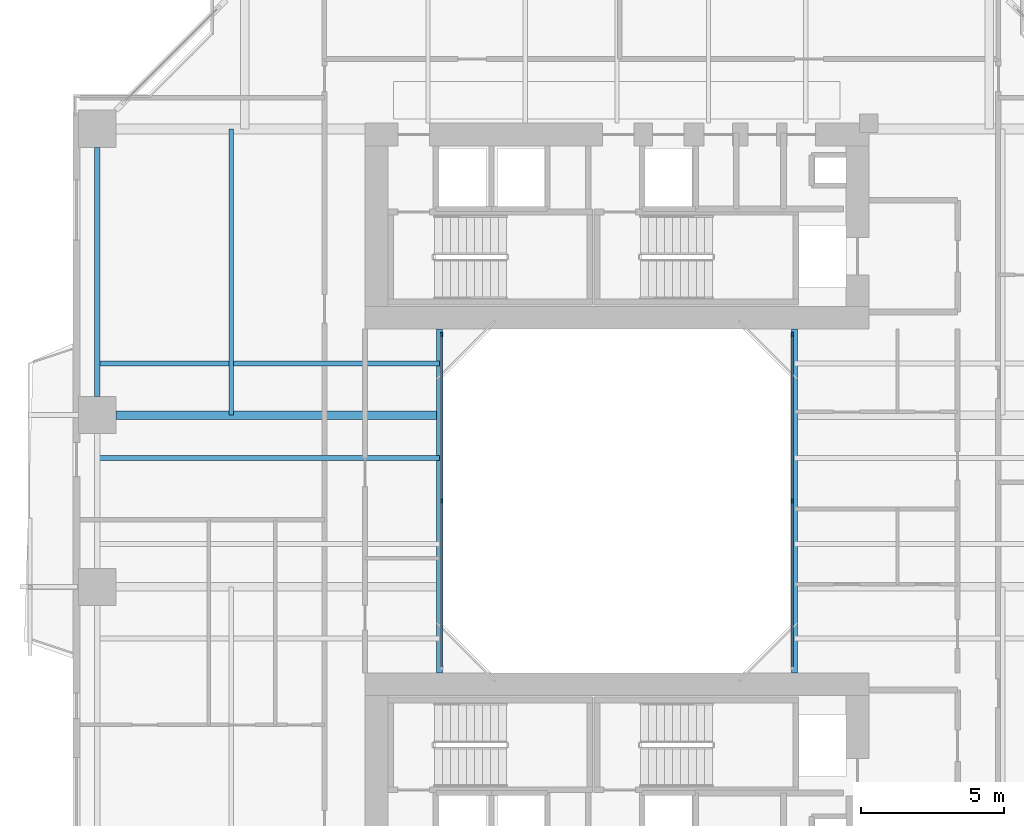
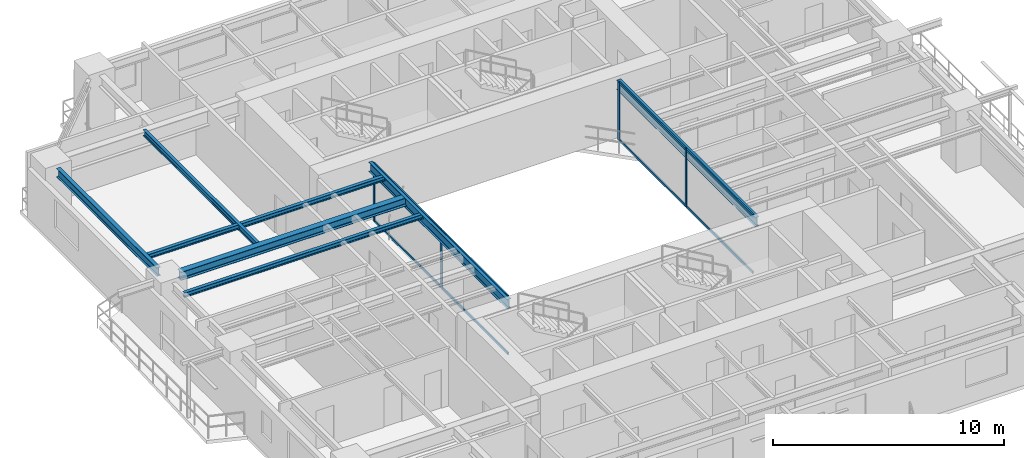
# One storey, part 4 of 23: 12 members, 7 beams, 2 elements without a shape of their own.
"""IFC4 building model written with IfcOpenShell, lengths in metres."""

from ifc_helpers import new_model, si_unit, direction, frame, origin, origin_2d, place, context, subcontext, project, spatial, rectangle, i_section, extrude, source, transform, mapped, material, layer, layer_set, material_profile, profile_set, type_object, element, aggregate, save


model = new_model("IFC4")

# Units and contexts
model_context = context("Model", 3, precision=1e-05, world=origin(), true_north=direction((0.0, 1.0)))
body_context = subcontext(model_context, "Body", "Model", "MODEL_VIEW")
ifc_project = project(units=[si_unit("LENGTHUNIT", "METRE"), si_unit("AREAUNIT", "SQUARE_METRE"), si_unit("VOLUMEUNIT", "CUBIC_METRE"), si_unit("PLANEANGLEUNIT", "RADIAN"), si_unit("MASSUNIT", "GRAM", prefix="KILO"), si_unit("THERMODYNAMICTEMPERATUREUNIT", "KELVIN"), si_unit("POWERUNIT", "WATT")], contexts=[model_context])

# Site, building, storey
site_placement = place(None, origin())
site = spatial("IfcSite", under=ifc_project, at=site_placement, CompositionType="ELEMENT")
building_placement = place(site_placement, origin())
building = spatial("IfcBuilding", under=site, at=building_placement, Name="Qiaomeng Ring Towers", CompositionType="ELEMENT")
storey_placement = place(building_placement, frame((0.0, 0.0, 29.5)))
storey = spatial("IfcBuildingStorey", under=building, at=storey_placement, Name="L07", CompositionType="ELEMENT", Elevation=29.5)

# Beams
ifc_material_1 = material(Name="Steel Q355B", Category="steel")
ifc_material_profile_1 = material_profile(ifc_material_1, i_section(OverallWidth=0.199951171875, OverallDepth=0.5, WebThickness=0.010009765625, FlangeThickness=0.01611328125, FilletRadius=0.02001953125, at=origin_2d()), Name="HN 500x200x10x16")
ifc_profile_set_1 = profile_set([ifc_material_profile_1], Name="Steel Q355B")
beam_type_1 = type_object("IfcBeamType", Name="STR-BM-HN500", PredefinedType="BEAM", material=ifc_profile_set_1)
shared_shape_1 = source(origin(), body_context, "Body", "SweptSolid", [
    extrude(i_section(OverallWidth=0.199951171875, OverallDepth=0.5, WebThickness=0.010009765625, FlangeThickness=0.01611328125, FilletRadius=0.02001953125, at=origin_2d()), origin(), (0.0, 0.0, 1.0), 12.0),
])
for number, where, z_axis, x_axis, name in (
    (1, (12.800048828125, 17.0, 2.820068359375), (0.0, 1.0, 0.0), (-1.0, 0.0, 0.0), "L07 beam STR-BM-L07-WELL-W"),
    (2, (25.199951171875, 17.0, 2.820068359375), (0.0, 1.0, 0.0), (-1.0, 0.0, 0.0), "L07 beam STR-BM-L07-WELL-E"),
):
    element("IfcBeam", number, at=place(storey_placement, frame(where, z_axis=z_axis, x_axis=x_axis)), inside=storey, type_object=beam_type_1, Name=name, PredefinedType="BEAM", context=body_context, shape_type="MappedRepresentation", body=[
        mapped(shared_shape_1, transform((0.0, 0.0, 0.0), x_axis=(1.0, 0.0, 0.0), y_axis=(0.0, 1.0, 0.0), z_axis=(0.0, 0.0, 1.0), scale=1.0)),
    ])
ifc_material_profile_2 = material_profile(ifc_material_1, i_section(OverallWidth=0.199951171875, OverallDepth=0.449951171875, WebThickness=0.009033203125, FlangeThickness=0.013916015625, FilletRadius=0.01806640625, at=origin_2d()), Name="HN 450x200x9x14")
ifc_profile_set_2 = profile_set([ifc_material_profile_2], Name="Steel Q355B")
beam_type_2 = type_object("IfcBeamType", Name="STR-BM-HN450", PredefinedType="SPANDREL", material=ifc_profile_set_2)
shared_shape_2 = source(origin(), body_context, "Body", "SweptSolid", [
    extrude(i_section(OverallWidth=0.199951171875, OverallDepth=0.449951171875, WebThickness=0.009033203125, FlangeThickness=0.013916015625, FilletRadius=0.01806640625, at=origin_2d()), origin(), (0.0, 0.0, 1.0), 8.7021484375),
])
beam_1_placement = place(storey_placement, frame((0.85009765625, 35.35107421875, 2.844970703125), z_axis=(0.0, -1.0, 0.0), x_axis=(1.0, 0.0, 0.0)))
element("IfcBeam", 3, at=beam_1_placement, inside=storey, type_object=beam_type_2, Name="L07 beam STR-SP-L07-T1-W4-W3", PredefinedType="SPANDREL", context=body_context, shape_type="MappedRepresentation", body=[
    mapped(shared_shape_2, transform((0.0, 0.0, 0.0), x_axis=(1.0, 0.0, 0.0), y_axis=(0.0, 1.0, 0.0), z_axis=(0.0, 0.0, 1.0), scale=1.0)),
])
ifc_material_profile_3 = material_profile(ifc_material_1, i_section(OverallWidth=0.300048828125, OverallDepth=0.43994140625, WebThickness=0.010986328125, FlangeThickness=0.01806640625, FilletRadius=0.02392578125, at=origin_2d()), Name="HM 440x300x11x18")
ifc_profile_set_3 = profile_set([ifc_material_profile_3], Name="Steel Q355B")
beam_type_3 = type_object("IfcBeamType", Name="STR-BM-HM440", PredefinedType="BEAM", material=ifc_profile_set_3)
shared_shape_3 = source(origin(), body_context, "Body", "SweptSolid", [
    extrude(i_section(OverallWidth=0.300048828125, OverallDepth=0.43994140625, WebThickness=0.010986328125, FlangeThickness=0.01806640625, FilletRadius=0.02392578125, at=origin_2d()), origin(), (0.0, 0.0, 1.0), 11.301025390625),
])
beam_2_placement = place(storey_placement, frame((1.4990234375, 26.0, 2.85009765625), z_axis=(1.0, 0.0, 0.0), x_axis=(0.0, 1.0, 0.0)))
element("IfcBeam", 4, at=beam_2_placement, inside=storey, type_object=beam_type_3, Name="L07 beam STR-BM-L07-T1-RAD-W3", PredefinedType="BEAM", context=body_context, shape_type="MappedRepresentation", body=[
    mapped(shared_shape_3, transform((0.0, 0.0, 0.0), x_axis=(1.0, 0.0, 0.0), y_axis=(0.0, 1.0, 0.0), z_axis=(0.0, 0.0, 1.0), scale=1.0)),
])
ifc_material_profile_4 = material_profile(ifc_material_1, i_section(OverallWidth=0.175048828125, OverallDepth=0.243896484375, WebThickness=0.007080078125, FlangeThickness=0.010986328125, FilletRadius=0.01611328125, at=origin_2d()), Name="HM 244x175x7x11")
ifc_profile_set_4 = profile_set([ifc_material_profile_4], Name="Steel Q355B")
beam_type_4 = type_object("IfcBeamType", Name="STR-BM-HM244", PredefinedType="JOIST", material=ifc_profile_set_4)
shared_shape_4 = source(origin(), body_context, "Body", "SweptSolid", [
    extrude(i_section(OverallWidth=0.175048828125, OverallDepth=0.243896484375, WebThickness=0.007080078125, FlangeThickness=0.010986328125, FilletRadius=0.01611328125, at=origin_2d()), origin(), (0.0, 0.0, 1.0), 11.949951171875),
])
for number, where, z_axis, x_axis, name in (
    (5, (0.85009765625, 24.5, 2.947998046875), (1.0, 0.0, 0.0), (0.0, 1.0, 0.0), "L07 beam STR-JST-L07-T1W-3"),
    (6, (0.85009765625, 27.800048828125, 2.947998046875), (1.0, 0.0, 0.0), (0.0, 1.0, 0.0), "L07 beam STR-JST-L07-T1W-4"),
):
    element("IfcBeam", number, at=place(storey_placement, frame(where, z_axis=z_axis, x_axis=x_axis)), inside=storey, type_object=beam_type_4, Name=name, PredefinedType="JOIST", context=body_context, shape_type="MappedRepresentation", body=[
        mapped(shared_shape_4, transform((0.0, 0.0, 0.0), x_axis=(1.0, 0.0, 0.0), y_axis=(0.0, 1.0, 0.0), z_axis=(0.0, 0.0, 1.0), scale=1.0)),
    ])
ifc_material_profile_5 = material_profile(ifc_material_1, i_section(OverallWidth=0.14990234375, OverallDepth=0.300048828125, WebThickness=0.006591796875, FlangeThickness=0.009033203125, FilletRadius=0.012939453125, at=origin_2d()), Name="HN 300x150x6.5x9")
ifc_profile_set_5 = profile_set([ifc_material_profile_5], Name="Steel Q355B")
beam_type_5 = type_object("IfcBeamType", Name="STR-BM-HN300", PredefinedType="JOIST", material=ifc_profile_set_5)
shared_shape_5 = source(origin(), body_context, "Body", "SweptSolid", [
    extrude(i_section(OverallWidth=0.14990234375, OverallDepth=0.300048828125, WebThickness=0.006591796875, FlangeThickness=0.009033203125, FilletRadius=0.012939453125, at=origin_2d()), origin(), (0.0, 0.0, 1.0), 10.0),
])
beam_3_placement = place(storey_placement, frame((5.52490234375, 26.0, 2.919921875), z_axis=(0.0, 1.0, 0.0), x_axis=(-1.0, 0.0, 0.0)))
element("IfcBeam", 7, at=beam_3_placement, inside=storey, type_object=beam_type_5, Name="L07 beam STR-JST-L07-T1C-WN", PredefinedType="JOIST", context=body_context, shape_type="MappedRepresentation", body=[
    mapped(shared_shape_5, transform((0.0, 0.0, 0.0), x_axis=(1.0, 0.0, 0.0), y_axis=(0.0, 1.0, 0.0), z_axis=(0.0, 0.0, 1.0), scale=1.0)),
])

# Curtain wall, members
ifc_material_2 = material(Name="Fluorocarbon dark-grey aluminium", Category="aluminium")
ifc_layer = layer(ifc_material_2, 0.139892578125, Name="Fluorocarbon dark-grey aluminium")
ifc_layer_set = layer_set([ifc_layer], Name="Fluorocarbon dark-grey aluminium")
curtain_wall_type = type_object("IfcCurtainWallType", Name="ARC-CW-4", PredefinedType="NOTDEFINED", material=ifc_layer_set)
curtain_wall_1_placement = place(storey_placement, origin())
curtain_wall_1 = element("IfcCurtainWall", 8, at=curtain_wall_1_placement, inside=storey, type_object=curtain_wall_type, Name="L07 Curtain Wall CW4", PredefinedType="NOTDEFINED")
ifc_material_profile_6 = material_profile(ifc_material_2, rectangle(XDim=0.06494140625, YDim=0.159912109375, at=origin_2d()), Name="ALU MULL 65x160")
ifc_profile_set_6 = profile_set([ifc_material_profile_6], Name="Fluorocarbon dark-grey aluminium")
member_type_1 = type_object("IfcMemberType", Name="ARC-CWM-140", PredefinedType="MULLION", material=ifc_profile_set_6)
shared_shape_6 = source(origin(), body_context, "Body", "SweptSolid", [
    extrude(rectangle(XDim=0.06494140625, YDim=0.159912109375, at=origin_2d()), origin(), (0.0, 0.0, 1.0), 3.070068359375),
])
member_1_placement = place(storey_placement, frame((12.8798828125, 23.0, 0.0), z_axis=(0.0, 0.0, 1.0), x_axis=(-1.0, 0.0, 0.0)))
member_1 = element("IfcMember", 9, at=member_1_placement, type_object=member_type_1, Name="CW4 mullion 2", PredefinedType="MULLION", context=body_context, shape_type="MappedRepresentation", body=[
    mapped(shared_shape_6, transform((0.0, 0.0, 0.0), x_axis=(1.0, 0.0, 0.0), y_axis=(0.0, 1.0, 0.0), z_axis=(0.0, 0.0, 1.0), scale=1.0)),
])
member_2_placement = place(storey_placement, frame((12.8798828125, 28.8173828125, 0.0), z_axis=(0.0, 0.0, 1.0), x_axis=(-1.0, 0.0, 0.0)))
member_2 = element("IfcMember", 10, at=member_2_placement, type_object=member_type_1, Name="CW4 mullion 3", PredefinedType="MULLION", context=body_context, shape_type="MappedRepresentation", body=[
    mapped(shared_shape_6, transform((0.0, 0.0, 0.0), x_axis=(1.0, 0.0, 0.0), y_axis=(0.0, 1.0, 0.0), z_axis=(0.0, 0.0, 1.0), scale=1.0)),
])

curtain_wall_2_placement = place(storey_placement, origin())
curtain_wall_2 = element("IfcCurtainWall", 11, at=curtain_wall_2_placement, inside=storey, type_object=curtain_wall_type, Name="L07 Curtain Wall CW4", PredefinedType="NOTDEFINED")
member_3_placement = place(storey_placement, frame((25.1201171875, 23.0, 0.0), z_axis=(0.0, 0.0, 1.0), x_axis=(-1.0, 0.0, 0.0)))
member_3 = element("IfcMember", 12, at=member_3_placement, type_object=member_type_1, Name="CW4 mullion 2", PredefinedType="MULLION", context=body_context, shape_type="MappedRepresentation", body=[
    mapped(shared_shape_6, transform((0.0, 0.0, 0.0), x_axis=(1.0, 0.0, 0.0), y_axis=(0.0, 1.0, 0.0), z_axis=(0.0, 0.0, 1.0), scale=1.0)),
])
member_4_placement = place(storey_placement, frame((25.1201171875, 28.8173828125, 0.0), z_axis=(0.0, 0.0, 1.0), x_axis=(-1.0, 0.0, 0.0)))
member_4 = element("IfcMember", 13, at=member_4_placement, type_object=member_type_1, Name="CW4 mullion 3", PredefinedType="MULLION", context=body_context, shape_type="MappedRepresentation", body=[
    mapped(shared_shape_6, transform((0.0, 0.0, 0.0), x_axis=(1.0, 0.0, 0.0), y_axis=(0.0, 1.0, 0.0), z_axis=(0.0, 0.0, 1.0), scale=1.0)),
])

# Member
ifc_material_profile_7 = material_profile(ifc_material_2, rectangle(XDim=0.06494140625, YDim=0.1298828125, at=origin_2d()), Name="ALU TRAN 65x130")
ifc_profile_set_7 = profile_set([ifc_material_profile_7], Name="Fluorocarbon dark-grey aluminium")
member_type_2 = type_object("IfcMemberType", Name="ARC-CWT-120", PredefinedType="USERDEFINED", material=ifc_profile_set_7)
shared_shape_7 = source(origin(), body_context, "Body", "SweptSolid", [
    extrude(rectangle(XDim=0.06494140625, YDim=0.1298828125, at=origin_2d()), origin(), (0.0, 0.0, 1.0), 5.75244140625),
])
member_5_placement = place(storey_placement, frame((12.8798828125, 17.215087890625, 0.032470703125), z_axis=(0.0, 1.0, 0.0), x_axis=(-1.0, 0.0, 0.0)))
member_5 = element("IfcMember", 14, at=member_5_placement, type_object=member_type_2, Name="CW4 transom 1.1", ObjectType="TRANSOM", PredefinedType="USERDEFINED", context=body_context, shape_type="MappedRepresentation", body=[
    mapped(shared_shape_7, transform((0.0, 0.0, 0.0), x_axis=(1.0, 0.0, 0.0), y_axis=(0.0, 1.0, 0.0), z_axis=(0.0, 0.0, 1.0), scale=1.0)),
])

member_6_placement = place(storey_placement, frame((12.8798828125, 17.215087890625, 3.03759765625), z_axis=(0.0, 1.0, 0.0), x_axis=(-1.0, 0.0, 0.0)))
member_6 = element("IfcMember", 15, at=member_6_placement, type_object=member_type_2, Name="CW4 transom 1.2", ObjectType="TRANSOM", PredefinedType="USERDEFINED", context=body_context, shape_type="MappedRepresentation", body=[
    mapped(shared_shape_7, transform((0.0, 0.0, 0.0), x_axis=(1.0, 0.0, 0.0), y_axis=(0.0, 1.0, 0.0), z_axis=(0.0, 0.0, 1.0), scale=1.0)),
])

member_7_placement = place(storey_placement, frame((12.8798828125, 23.032470703125, 0.032470703125), z_axis=(0.0, 1.0, 0.0), x_axis=(-1.0, 0.0, 0.0)))
member_7 = element("IfcMember", 16, at=member_7_placement, type_object=member_type_2, Name="CW4 transom 2.1", ObjectType="TRANSOM", PredefinedType="USERDEFINED", context=body_context, shape_type="MappedRepresentation", body=[
    mapped(shared_shape_7, transform((0.0, 0.0, 0.0), x_axis=(1.0, 0.0, 0.0), y_axis=(0.0, 1.0, 0.0), z_axis=(0.0, 0.0, 1.0), scale=1.0)),
])

member_8_placement = place(storey_placement, frame((12.8798828125, 23.032470703125, 3.03759765625), z_axis=(0.0, 1.0, 0.0), x_axis=(-1.0, 0.0, 0.0)))
member_8 = element("IfcMember", 17, at=member_8_placement, type_object=member_type_2, Name="CW4 transom 2.2", ObjectType="TRANSOM", PredefinedType="USERDEFINED", context=body_context, shape_type="MappedRepresentation", body=[
    mapped(shared_shape_7, transform((0.0, 0.0, 0.0), x_axis=(1.0, 0.0, 0.0), y_axis=(0.0, 1.0, 0.0), z_axis=(0.0, 0.0, 1.0), scale=1.0)),
])

aggregate(curtain_wall_1, [member_1, member_2, member_5, member_6, member_7, member_8])

member_9_placement = place(storey_placement, frame((25.1201171875, 17.215087890625, 0.032470703125), z_axis=(0.0, 1.0, 0.0), x_axis=(-1.0, 0.0, 0.0)))
member_9 = element("IfcMember", 18, at=member_9_placement, type_object=member_type_2, Name="CW4 transom 1.1", ObjectType="TRANSOM", PredefinedType="USERDEFINED", context=body_context, shape_type="MappedRepresentation", body=[
    mapped(shared_shape_7, transform((0.0, 0.0, 0.0), x_axis=(1.0, 0.0, 0.0), y_axis=(0.0, 1.0, 0.0), z_axis=(0.0, 0.0, 1.0), scale=1.0)),
])

member_10_placement = place(storey_placement, frame((25.1201171875, 17.215087890625, 3.03759765625), z_axis=(0.0, 1.0, 0.0), x_axis=(-1.0, 0.0, 0.0)))
member_10 = element("IfcMember", 19, at=member_10_placement, type_object=member_type_2, Name="CW4 transom 1.2", ObjectType="TRANSOM", PredefinedType="USERDEFINED", context=body_context, shape_type="MappedRepresentation", body=[
    mapped(shared_shape_7, transform((0.0, 0.0, 0.0), x_axis=(1.0, 0.0, 0.0), y_axis=(0.0, 1.0, 0.0), z_axis=(0.0, 0.0, 1.0), scale=1.0)),
])

member_11_placement = place(storey_placement, frame((25.1201171875, 23.032470703125, 0.032470703125), z_axis=(0.0, 1.0, 0.0), x_axis=(-1.0, 0.0, 0.0)))
member_11 = element("IfcMember", 20, at=member_11_placement, type_object=member_type_2, Name="CW4 transom 2.1", ObjectType="TRANSOM", PredefinedType="USERDEFINED", context=body_context, shape_type="MappedRepresentation", body=[
    mapped(shared_shape_7, transform((0.0, 0.0, 0.0), x_axis=(1.0, 0.0, 0.0), y_axis=(0.0, 1.0, 0.0), z_axis=(0.0, 0.0, 1.0), scale=1.0)),
])

member_12_placement = place(storey_placement, frame((25.1201171875, 23.032470703125, 3.03759765625), z_axis=(0.0, 1.0, 0.0), x_axis=(-1.0, 0.0, 0.0)))
member_12 = element("IfcMember", 21, at=member_12_placement, type_object=member_type_2, Name="CW4 transom 2.2", ObjectType="TRANSOM", PredefinedType="USERDEFINED", context=body_context, shape_type="MappedRepresentation", body=[
    mapped(shared_shape_7, transform((0.0, 0.0, 0.0), x_axis=(1.0, 0.0, 0.0), y_axis=(0.0, 1.0, 0.0), z_axis=(0.0, 0.0, 1.0), scale=1.0)),
])

aggregate(curtain_wall_2, [member_3, member_4, member_9, member_10, member_11, member_12])

save(model, "model.ifc")
